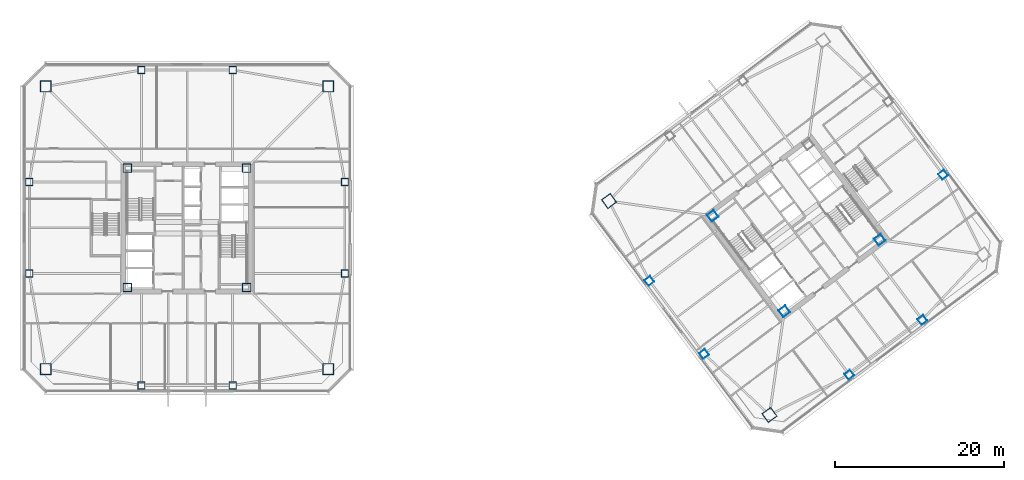
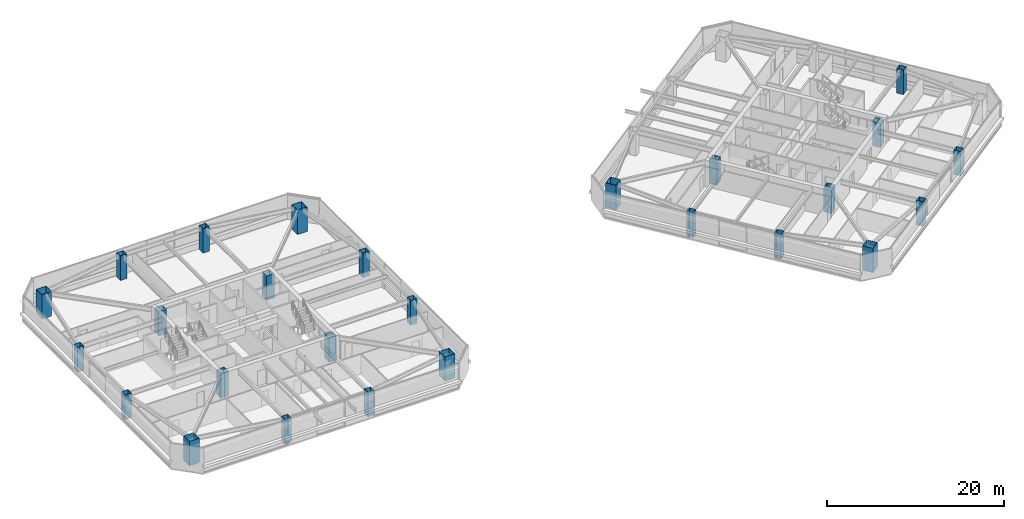
# One storey, part 1 of 42: 26 columns.
"""IFC4 building model written with IfcOpenShell, lengths in metres."""

from ifc_helpers import new_model, si_unit, direction, frame, origin, origin_2d, place, context, subcontext, project, spatial, hollow_rectangle, extrude, material, material_profile, profile_set, type_object, element, save


model = new_model("IFC4")

# Units and contexts
model_context = context("Model", 3, precision=1e-05, world=origin(), true_north=direction((0.0, 1.0)))
body_context = subcontext(model_context, "Body", "Model", "MODEL_VIEW")
ifc_project = project(units=[si_unit("LENGTHUNIT", "METRE"), si_unit("AREAUNIT", "SQUARE_METRE"), si_unit("VOLUMEUNIT", "CUBIC_METRE"), si_unit("PLANEANGLEUNIT", "RADIAN"), si_unit("MASSUNIT", "GRAM", prefix="KILO")], contexts=[model_context])

# Site, building, storey
site_placement = place(None, origin())
site = spatial("IfcSite", under=ifc_project, at=site_placement, CompositionType="ELEMENT")
building_placement = place(site_placement, origin())
building = spatial("IfcBuilding", under=site, at=building_placement, Name="Tashvorn Skyway Center", CompositionType="ELEMENT")
storey_placement = place(building_placement, frame((0.0, 0.0, 121.5)))
storey = spatial("IfcBuildingStorey", under=building, at=storey_placement, Name="L32", CompositionType="ELEMENT", Elevation=121.5)

# Columns
ifc_material = material(Name="Steel ASTM A572 Grade 50", Category="steel")
ifc_material_profile_1 = material_profile(ifc_material, hollow_rectangle(XDim=1.0, YDim=1.0, WallThickness=0.0400390625, at=origin_2d()), Name="BOX1000x1000x40")
ifc_profile_set_1 = profile_set([ifc_material_profile_1], Name="Steel ASTM A572 Grade 50")
column_type_1 = type_object("IfcColumnType", Name="COL-BOX1000x1000x40", PredefinedType="COLUMN", material=ifc_profile_set_1)
for number, where, z_axis, x_axis, name in (
    (1, (34.949951171875, 24.949951171875, 0.0), (0.0, 0.0, 1.0), (1.0, 0.0, 0.0), "Tower 1 L32 Core Corner Column CC-SW"),
    (2, (49.050048828125, 24.949951171875, 0.0), (0.0, 0.0, 1.0), (1.0, 0.0, 0.0), "Tower 1 L32 Core Corner Column CC-SE"),
    (3, (49.050048828125, 39.050048828125, 0.0), (0.0, 0.0, 1.0), (1.0, 0.0, 0.0), "Tower 1 L32 Core Corner Column CC-NE"),
    (4, (34.949951171875, 39.050048828125, 0.0), (0.0, 0.0, 1.0), (1.0, 0.0, 0.0), "Tower 1 L32 Core Corner Column CC-NW"),
    (5, (112.590087890625, 22.1298828125, 0.0), (0.0, 0.0, 1.0), (0.799999996291, 0.600000004945, 0.0), "Tower 2 L32 Core Corner Column CC-SW"),
    (6, (123.8701171875, 30.590087890625, 0.0), (0.0, 0.0, 1.0), (0.799999996291, 0.600000004945, 0.0), "Tower 2 L32 Core Corner Column CC-SE"),
    (7, (104.1298828125, 33.409912109375, 0.0), (0.0, 0.0, 1.0), (0.799999996291, 0.600000004945, 0.0), "Tower 2 L32 Core Corner Column CC-NW"),
):
    element("IfcColumn", number, at=place(storey_placement, frame(where, z_axis=z_axis, x_axis=x_axis)), inside=storey, type_object=column_type_1, Name=name, PredefinedType="COLUMN", context=body_context, shape_type="SweptSolid", body=[
        extrude(hollow_rectangle(XDim=1.0, YDim=1.0, WallThickness=0.0400390625, at=origin_2d()), origin(), (0.0, 0.0, 1.0), 3.3701171875),
    ])
ifc_material_profile_2 = material_profile(ifc_material, hollow_rectangle(XDim=1.300048828125, YDim=1.300048828125, WallThickness=0.050048828125, at=origin_2d()), Name="BOX1300x1300x50")
ifc_profile_set_2 = profile_set([ifc_material_profile_2], Name="Steel ASTM A572 Grade 50")
column_type_2 = type_object("IfcColumnType", Name="COL-BOX1300x1300x50", PredefinedType="COLUMN", material=ifc_profile_set_2)
for number, where, z_axis, x_axis, name in (
    (8, (25.300048828125, 15.300048828125, 0.0), (0.0, 0.0, 1.0), (1.0, 0.0, 0.0), "Tower 1 L32 Mega-Column MC-SW"),
    (9, (58.699951171875, 15.300048828125, 0.0), (0.0, 0.0, 1.0), (1.0, 0.0, 0.0), "Tower 1 L32 Mega-Column MC-SE"),
    (10, (58.699951171875, 48.699951171875, 0.0), (0.0, 0.0, 1.0), (1.0, 0.0, 0.0), "Tower 1 L32 Mega-Column MC-NE"),
    (11, (25.300048828125, 48.699951171875, 0.0), (0.0, 0.0, 1.0), (1.0, 0.0, 0.0), "Tower 1 L32 Mega-Column MC-NW"),
    (12, (110.840087890625, 9.8798828125, 0.0), (0.0, 0.0, 1.0), (0.799999996291, 0.600000004945, 0.0), "Tower 2 L32 Mega-Column MC-SW"),
    (13, (91.8798828125, 35.159912109375, 0.0), (0.0, 0.0, 1.0), (0.799999996291, 0.600000004945, 0.0), "Tower 2 L32 Mega-Column MC-NW"),
):
    element("IfcColumn", number, at=place(storey_placement, frame(where, z_axis=z_axis, x_axis=x_axis)), inside=storey, type_object=column_type_2, Name=name, PredefinedType="COLUMN", context=body_context, shape_type="SweptSolid", body=[
        extrude(hollow_rectangle(XDim=1.300048828125, YDim=1.300048828125, WallThickness=0.050048828125, at=origin_2d()), origin(), (0.0, 0.0, 1.0), 3.3701171875),
    ])
ifc_material_profile_3 = material_profile(ifc_material, hollow_rectangle(XDim=0.85009765625, YDim=0.85009765625, WallThickness=0.034912109375, at=origin_2d()), Name="BOX850x850x35")
ifc_profile_set_3 = profile_set([ifc_material_profile_3], Name="Steel ASTM A572 Grade 50")
column_type_3 = type_object("IfcColumnType", Name="COL-BOX850x850x35", PredefinedType="COLUMN", material=ifc_profile_set_3)
for number, where, z_axis, x_axis, name in (
    (14, (36.60009765625, 13.35009765625, 0.0), (0.0, 0.0, 1.0), (1.0, 0.0, 0.0), "Tower 1 L32 Perimeter Column FC-S1"),
    (15, (47.39990234375, 13.35009765625, 0.0), (0.0, 0.0, 1.0), (1.0, 0.0, 0.0), "Tower 1 L32 Perimeter Column FC-S2"),
    (16, (60.64990234375, 26.60009765625, 0.0), (0.0, 0.0, 1.0), (1.0, 0.0, 0.0), "Tower 1 L32 Perimeter Column FC-E1"),
    (17, (60.64990234375, 37.39990234375, 0.0), (0.0, 0.0, 1.0), (1.0, 0.0, 0.0), "Tower 1 L32 Perimeter Column FC-E2"),
    (18, (47.39990234375, 50.64990234375, 0.0), (0.0, 0.0, 1.0), (1.0, 0.0, 0.0), "Tower 1 L32 Perimeter Column FC-N1"),
    (19, (36.60009765625, 50.64990234375, 0.0), (0.0, 0.0, 1.0), (1.0, 0.0, 0.0), "Tower 1 L32 Perimeter Column FC-N2"),
    (20, (23.35009765625, 37.39990234375, 0.0), (0.0, 0.0, 1.0), (1.0, 0.0, 0.0), "Tower 1 L32 Perimeter Column FC-W1"),
    (21, (23.35009765625, 26.60009765625, 0.0), (0.0, 0.0, 1.0), (1.0, 0.0, 0.0), "Tower 1 L32 Perimeter Column FC-W2"),
    (22, (120.27001953125, 14.639892578125, 0.0), (0.0, 0.0, 1.0), (0.799999996291, 0.600000004945, 0.0), "Tower 2 L32 Perimeter Column FC-S1"),
    (23, (128.909912109375, 21.1201171875, 0.0), (0.0, 0.0, 1.0), (0.799999996291, 0.600000004945, 0.0), "Tower 2 L32 Perimeter Column FC-S2"),
    (24, (131.360107421875, 38.27001953125, 0.0), (0.0, 0.0, 1.0), (0.799999996291, 0.600000004945, 0.0), "Tower 2 L32 Perimeter Column FC-E1"),
    (25, (96.639892578125, 25.72998046875, 0.0), (0.0, 0.0, 1.0), (0.799999996291, 0.600000004945, 0.0), "Tower 2 L32 Perimeter Column FC-W1"),
    (26, (103.1201171875, 17.090087890625, 0.0), (0.0, 0.0, 1.0), (0.799999996291, 0.600000004945, 0.0), "Tower 2 L32 Perimeter Column FC-W2"),
):
    element("IfcColumn", number, at=place(storey_placement, frame(where, z_axis=z_axis, x_axis=x_axis)), inside=storey, type_object=column_type_3, Name=name, PredefinedType="COLUMN", context=body_context, shape_type="SweptSolid", body=[
        extrude(hollow_rectangle(XDim=0.85009765625, YDim=0.85009765625, WallThickness=0.034912109375, at=origin_2d()), origin(), (0.0, 0.0, 1.0), 3.3701171875),
    ])

save(model, "model.ifc")
